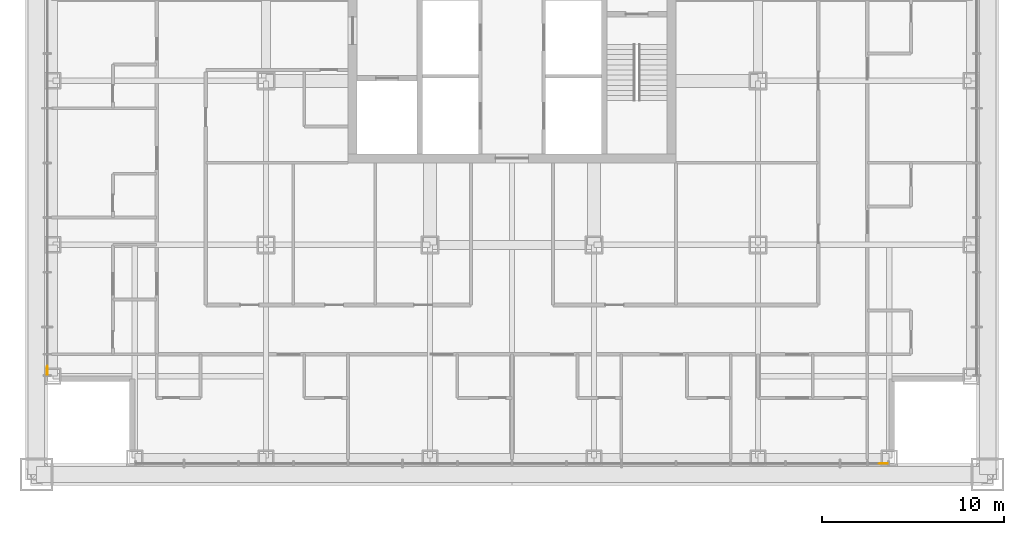
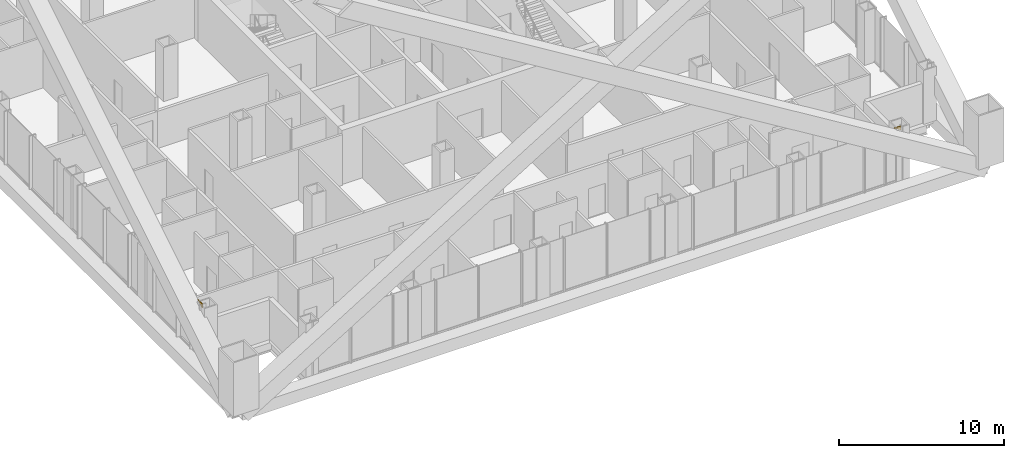
# One storey, part 18 of 21: 2 coverings.
"""IFC4 building model written with IfcOpenShell, lengths in metres."""

import ifcopenshell
import ifcopenshell.guid

model = None  # the IFC model being written
_history = None  # IfcOwnerHistory: only IFC2X3 demands one
_inside = {}  # id of a spatial element -> (the spatial element, [elements in it])
_under = {}  # id of a project, library or spatial element -> (it, [spatial elements below it])
_declared = {}  # id of a project -> (the project, [libraries it declares])
_typed = {}  # id of a type object -> (the type object, [elements of that type])
_made_of = {}  # id of a material, layer set ... -> (it, [elements and type objects made of it])


def new_model(schema):
    """Start an empty IFC model of exactly this schema.

    Asked for "IFC4X3", IfcOpenShell would pick the latest addendum, in which some entities
    have other attributes; the version numbers below select the first issue.
    IFC2X3 requires an IfcOwnerHistory on every rooted entity: one is made here for all.
    """
    global model, _history
    if schema == "IFC4X3":
        model = ifcopenshell.file(schema_version=(4, 3, 0, 0))
    else:
        model = ifcopenshell.file(schema=schema)
    _inside.clear()
    _under.clear()
    _declared.clear()
    _typed.clear()
    _made_of.clear()
    _history = None
    if model.schema == "IFC2X3":
        org = make("IfcOrganization", Name="unknown")
        user = make(
            "IfcPersonAndOrganization",
            ThePerson=make("IfcPerson", FamilyName="unknown"),
            TheOrganization=org,
        )
        app = make(
            "IfcApplication",
            ApplicationDeveloper=org,
            Version="unknown",
            ApplicationFullName="unknown",
            ApplicationIdentifier="unknown",
        )
        _history = make(
            "IfcOwnerHistory",
            OwningUser=user,
            OwningApplication=app,
            ChangeAction="ADDED",
            CreationDate=0,
        )
    return model


def make(cls, **values):
    """One entity of the class cls with the attributes given. An attribute that is None is left unset."""
    return model.create_entity(
        cls, **{name: value for name, value in values.items() if value is not None}
    )


def rooted(cls, **values):
    """An entity with a GlobalId (a new one), such as an element, a storey or a relation."""
    return make(cls, GlobalId=ifcopenshell.guid.new(), OwnerHistory=_history, **values)


def si_unit(unit_type, name, prefix=None):
    """IfcSIUnit, for example si_unit("LENGTHUNIT", "METRE", prefix="MILLI")."""
    return make("IfcSIUnit", UnitType=unit_type, Prefix=prefix, Name=name)


def assignment(units):
    """IfcUnitAssignment: the units of a project."""
    return None if units is None else make("IfcUnitAssignment", Units=units)


def point(xyz):
    """IfcCartesianPoint."""
    return None if xyz is None else make("IfcCartesianPoint", Coordinates=xyz)


def direction(xyz):
    """IfcDirection."""
    return None if xyz is None else make("IfcDirection", DirectionRatios=xyz)


def frame(location, z_axis=None, x_axis=None):
    """IfcAxis2Placement3D, a coordinate frame: its origin and axes. An axis left out is left unset."""
    return make(
        "IfcAxis2Placement3D",
        Location=point(location),
        Axis=direction(z_axis),
        RefDirection=direction(x_axis),
    )


def origin():
    """The frame at (0, 0, 0) with its axes left unset."""
    return frame((0.0, 0.0, 0.0))


def place(relative_to, where):
    """IfcLocalPlacement: puts the frame where relative to a parent placement (None: the world)."""
    return make(
        "IfcLocalPlacement", PlacementRelTo=relative_to, RelativePlacement=where
    )


def context(
    kind, dimensions, precision=None, world=None, true_north=None, identifier=None
):
    """IfcGeometricRepresentationContext, for example the 3D "Model" context."""
    return make(
        "IfcGeometricRepresentationContext",
        ContextIdentifier=identifier,
        ContextType=kind,
        CoordinateSpaceDimension=dimensions,
        Precision=precision,
        WorldCoordinateSystem=world,
        TrueNorth=true_north,
    )


def subcontext(parent, identifier, kind, view, scale=None):
    """IfcGeometricRepresentationSubContext, for example "Body" below "Model"."""
    return make(
        "IfcGeometricRepresentationSubContext",
        ContextIdentifier=identifier,
        ContextType=kind,
        ParentContext=parent,
        TargetScale=scale,
        TargetView=view,
    )


def project(units=None, contexts=None):
    """IfcProject with its units and contexts."""
    return rooted(
        "IfcProject",
        Name="project",
        RepresentationContexts=contexts,
        UnitsInContext=assignment(units),
    )


def spatial(cls, under=None, at=None, **own):
    """A site, building, storey or space (cls), placed at a placement, below another one or the project."""
    s = rooted(cls, ObjectPlacement=at, **own)
    if under is not None:
        _under.setdefault(under.id(), (under, []))[1].append(s)
    return s


def polyline(points):
    """IfcPolyline through the points."""
    return make("IfcPolyline", Points=[point(p) for p in points])


def outline(outer, holes=None, kind="AREA"):
    """IfcArbitraryClosedProfileDef: a profile drawn as a closed curve; with holes, ...WithVoids."""
    if holes is None:
        return make("IfcArbitraryClosedProfileDef", ProfileType=kind, OuterCurve=outer)
    return make(
        "IfcArbitraryProfileDefWithVoids",
        ProfileType=kind,
        OuterCurve=outer,
        InnerCurves=holes,
    )


def extrude(swept, where, along, depth):
    """IfcExtrudedAreaSolid: the profile swept, set in the frame where, extruded along a direction by depth."""
    return make(
        "IfcExtrudedAreaSolid",
        SweptArea=swept,
        Position=where,
        ExtrudedDirection=direction(along),
        Depth=depth,
    )


def shape(context_of_items, identifier, shape_type, items):
    """IfcShapeRepresentation: the items that make up one representation, for example the "Body"."""
    return make(
        "IfcShapeRepresentation",
        ContextOfItems=context_of_items,
        RepresentationIdentifier=identifier,
        RepresentationType=shape_type,
        Items=items,
    )


def material(Name=None, Category=None):
    """IfcMaterial."""
    return make("IfcMaterial", Name=Name, Category=Category)


def layer(
    of_material, thickness, ventilated=None, Name=None, Category=None, Priority=None
):
    """IfcMaterialLayer: one layer of a wall or slab, of a material (None: an air gap)."""
    return make(
        "IfcMaterialLayer",
        Material=of_material,
        LayerThickness=thickness,
        IsVentilated=ventilated,
        Name=Name,
        Category=Category,
        Priority=Priority,
    )


def layer_set(layers, Name=None):
    """IfcMaterialLayerSet."""
    return make("IfcMaterialLayerSet", MaterialLayers=layers, LayerSetName=Name)


def made_of(thing, what):
    """Note that an element or type object is made of a material, layer set ...; save() writes the relation."""
    if what is not None:
        _made_of.setdefault(what.id(), (what, []))[1].append(thing)
    return thing


def type_object(cls, material=None, **own):
    """A type object (cls), such as IfcWallType, which elements share."""
    return made_of(rooted(cls, **own), material)


def element(
    cls,
    number,
    at=None,
    inside=None,
    cuts=None,
    type_object=None,
    material=None,
    context=None,
    identifier="Body",
    shape_type=None,
    held_by="IfcProductDefinitionShape",
    body=None,
    shapes=None,
    **own,
):
    """One element of the class cls, such as IfcWall. Its Tag is "e" and its number.

    at: its placement. inside: the storey or other place that contains it. cuts: it is an
    opening in that element (IfcRelVoidsElement). A single representation is given by context,
    identifier, shape_type and body (its items); several are given by shapes. held_by: the class
    of the entity that holds the representations. save() writes the other relations.
    """
    e = rooted(cls, Tag="e%d" % number, ObjectPlacement=at, **own)
    if body is not None:
        shapes = [shape(context, identifier, shape_type, body)]
    if shapes is not None:
        e.Representation = make(held_by, Representations=shapes)
    if inside is not None:
        _inside.setdefault(inside.id(), (inside, []))[1].append(e)
    if cuts is not None:
        rooted(
            "IfcRelVoidsElement", RelatingBuildingElement=cuts, RelatedOpeningElement=e
        )
    if type_object is not None:
        _typed.setdefault(type_object.id(), (type_object, []))[1].append(e)
    return made_of(e, material)


def aggregate(whole, parts):
    """IfcRelAggregates: a whole, such as a stair, and the parts it consists of."""
    return rooted("IfcRelAggregates", RelatingObject=whole, RelatedObjects=parts)


def save(model, path):
    """Write the relations noted so far, then the file.

    IfcRelAggregates (storeys below a building ...), IfcRelContainedInSpatialStructure (elements
    in a storey), IfcRelDefinesByType, IfcRelAssociatesMaterial and IfcRelDeclares: one each for
    every whole, place, type object, material and project.
    """
    for whole, parts in _under.values():
        aggregate(whole, parts)
    for where, things in _inside.values():
        rooted(
            "IfcRelContainedInSpatialStructure",
            RelatedElements=things,
            RelatingStructure=where,
        )
    for kind, things in _typed.values():
        rooted("IfcRelDefinesByType", RelatedObjects=things, RelatingType=kind)
    for what, things in _made_of.values():
        rooted("IfcRelAssociatesMaterial", RelatedObjects=things, RelatingMaterial=what)
    for by, libraries in _declared.values():
        rooted("IfcRelDeclares", RelatingContext=by, RelatedDefinitions=libraries)
    model.write(path)


model = new_model("IFC4")

# Units and contexts
model_context = context("Model", 3, precision=1e-05, world=origin(), true_north=direction((0.0, 1.0)))
body_context = subcontext(model_context, "Body", "Model", "MODEL_VIEW")
ifc_project = project(units=[si_unit("LENGTHUNIT", "METRE"), si_unit("AREAUNIT", "SQUARE_METRE"), si_unit("VOLUMEUNIT", "CUBIC_METRE"), si_unit("PLANEANGLEUNIT", "RADIAN"), si_unit("MASSUNIT", "GRAM", prefix="KILO")], contexts=[model_context])

# Site, building, storey
site_placement = place(None, origin())
site = spatial("IfcSite", under=ifc_project, at=site_placement, CompositionType="ELEMENT")
building_placement = place(site_placement, origin())
building = spatial("IfcBuilding", under=site, at=building_placement, Name="Malebo Sky Hospital", CompositionType="ELEMENT")
storey_placement = place(building_placement, frame((0.0, 0.0, 31.0)))
storey = spatial("IfcBuildingStorey", under=building, at=storey_placement, Name="L06", CompositionType="ELEMENT", Elevation=31.0)

# Coverings
ifc_material = material(Name="Anodised aluminium, natural silver insulated infill panel", Category="aluminium")
ifc_layer = layer(ifc_material, 0.0400390625)
ifc_layer_set = layer_set([ifc_layer], Name="BRACE INFILL PANEL 40")
covering_type = type_object("IfcCoveringType", Name="BRACE INFILL PANEL 40", PredefinedType="CLADDING", material=ifc_layer_set)
for number, where, z_axis, x_axis, name in (
    (1, (34.5, 41.61962890625, 3.690185546875), (0.0, 0.0, 1.0), (0.0, 1.0, 0.0), "Brace infill panel 1.1"),
    (2, (80.38037109375, 36.5, 3.690185546875), (0.0, 0.0, 1.0), (-1.0, 0.0, 0.0), "Brace infill panel 1.1"),
):
    element("IfcCovering", number, at=place(storey_placement, frame(where, z_axis=z_axis, x_axis=x_axis)), inside=storey, type_object=covering_type, Name=name, PredefinedType="CLADDING", context=body_context, shape_type="SweptSolid", body=[
        extrude(outline(polyline([(-0.24462890625, 0.0), (0.244384765625, 0.2998046875), (-0.24462890625, 0.2998046875), (-0.24462890625, 0.0)])), frame((0.0, 0.02001953125, 0.0), z_axis=(0.0, -1.0, 0.0), x_axis=(1.0, 0.0, 0.0)), (0.0, 0.0, 1.0), 0.0400390625),
    ])

save(model, "model.ifc")
